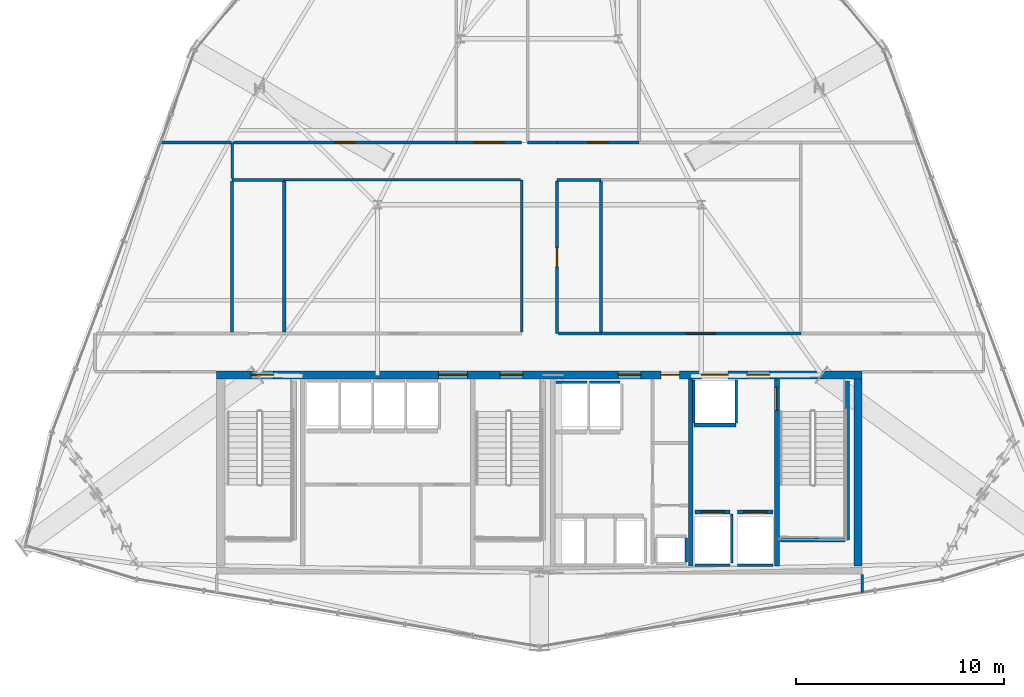
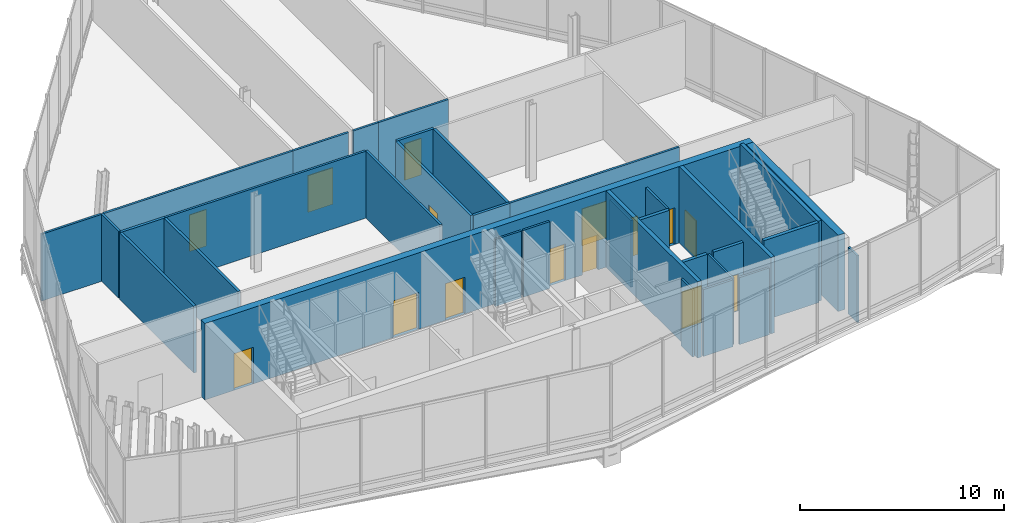
# One storey, part 24 of 28: 34 walls, 15 doors, 15 openings.
"""IFC4 building model written with IfcOpenShell, lengths in metres."""

from ifc_helpers import new_model, si_unit, direction, frame, frame_2d, origin, place, context, subcontext, project, spatial, rectangle, extrude, material, layer, layer_set, type_object, element, fill, save


model = new_model("IFC4")

# Units and contexts
model_context = context("Model", 3, precision=1e-05, world=origin(), true_north=direction((0.0, 1.0)))
body_context = subcontext(model_context, "Body", "Model", "MODEL_VIEW")
ifc_project = project(units=[si_unit("LENGTHUNIT", "METRE"), si_unit("AREAUNIT", "SQUARE_METRE"), si_unit("VOLUMEUNIT", "CUBIC_METRE"), si_unit("PLANEANGLEUNIT", "RADIAN"), si_unit("MASSUNIT", "GRAM", prefix="KILO")], contexts=[model_context])

# Site, building, storey
site_placement = place(None, origin())
site = spatial("IfcSite", under=ifc_project, at=site_placement, CompositionType="ELEMENT")
building_placement = place(site_placement, origin())
building = spatial("IfcBuilding", under=site, at=building_placement, Name="Ndaravel Arena Tower", CompositionType="ELEMENT")
storey_placement = place(building_placement, frame((0.0, 0.0, 213.199951171875)))
storey = spatial("IfcBuildingStorey", under=building, at=storey_placement, Name="L51", CompositionType="ELEMENT", Elevation=213.199951171875)

# Wall
ifc_material_1 = material(Name="Concrete C50/60", Category="concrete")
ifc_layer_1 = layer(ifc_material_1, 0.219970703125)
ifc_layer_set_1 = layer_set([ifc_layer_1], Name="Concrete C50/60")
wall_type_1 = type_object("IfcWallType", Name="WALL-CORE-220", PredefinedType="SOLIDWALL", material=ifc_layer_set_1)
wall_1_placement = place(storey_placement, frame((49.300048828125, 5.800048828125, 0.0), z_axis=(0.0, 0.0, 1.0), x_axis=(0.0, 1.0, 0.0)))
element("IfcWall", 1, at=wall_1_placement, inside=storey, type_object=wall_type_1, Name="L51 Core Web Shear Wall 4", PredefinedType="SOLIDWALL", context=body_context, shape_type="SweptSolid", body=[
    extrude(rectangle(XDim=9.0, YDim=0.219970703125, at=frame_2d((4.5, 0.0))), origin(), (0.0, 0.0, 1.0), 4.580078125),
])

# Wall, opening, door
wall_2_placement = place(storey_placement, frame((53.449951171875, 5.800048828125, 0.0), z_axis=(0.0, 0.0, 1.0), x_axis=(0.0, 1.0, 0.0)))
wall_2 = element("IfcWall", 2, at=wall_2_placement, inside=storey, type_object=wall_type_1, Name="L51 Core Web Shear Wall 5", PredefinedType="SOLIDWALL", context=body_context, shape_type="SweptSolid", body=[
    extrude(rectangle(XDim=9.0, YDim=0.219970703125, at=frame_2d((4.5, 0.0))), origin(), (0.0, 0.0, 1.0), 4.580078125),
])
opening_1_placement = place(wall_2_placement, frame((7.5, 0.0, 0.0)))
opening_1 = element("IfcOpeningElement", 3, at=opening_1_placement, cuts=wall_2, Name="Opening FD-01", PredefinedType="OPENING", context=body_context, shape_type="SweptSolid", body=[
    extrude(rectangle(XDim=1.10009765625, YDim=2.199951171875, at=frame_2d((0.550048828125, 1.10009765625))), frame((0.0, 0.10986328125, 0.0), z_axis=(0.0, -1.0, 0.0), x_axis=(1.0, 0.0, 0.0)), (0.0, 0.0, 1.0), 0.219970703125),
])
ifc_material_2 = material(Name="Steel S355", Category="steel")
door_type_1 = type_object("IfcDoorType", Name="DT-01-STAIR-1100", OperationType="SINGLE_SWING_LEFT", PredefinedType="DOOR", material=ifc_material_2)
door_1_placement = place(opening_1_placement, origin())
door_1 = element("IfcDoor", 4, at=door_1_placement, inside=storey, type_object=door_type_1, Name="L51 Firefighting Lobby to ST-3 Door", OperationType="SINGLE_SWING_LEFT", OverallHeight=2.199951171875, OverallWidth=1.10009765625, PredefinedType="DOOR", context=body_context, shape_type="SweptSolid", body=[
    extrude(rectangle(XDim=1.10009765625, YDim=2.199951171875, at=frame_2d((0.550048828125, 1.10009765625))), frame((0.0, 0.02490234375, 0.0), z_axis=(0.0, -1.0, 0.0), x_axis=(1.0, 0.0, 0.0)), (0.0, 0.0, 1.0), 0.050048828125),
])
fill(opening_1, door_1)

# Wall, openings, doors
ifc_material_3 = material(Name="Concrete C50/60", Category="concrete")
ifc_layer_2 = layer(ifc_material_3, 0.39990234375)
ifc_layer_set_2 = layer_set([ifc_layer_2], Name="Concrete C50/60")
wall_type_2 = type_object("IfcWallType", Name="WALL-CORE-400", PredefinedType="SOLIDWALL", material=ifc_layer_set_2)
wall_3_placement = place(storey_placement, frame((26.449951171875, 15.0, 0.0), z_axis=(0.0, 0.0, 1.0), x_axis=(1.0, 0.0, 0.0)))
wall_3 = element("IfcWall", 5, at=wall_3_placement, inside=storey, type_object=wall_type_2, Name="L51 Core North Shear Wall", PredefinedType="SOLIDWALL", context=body_context, shape_type="SweptSolid", body=[
    extrude(rectangle(XDim=31.10009765625, YDim=0.39990234375, at=frame_2d((15.550048828125, 0.0))), origin(), (0.0, 0.0, 1.0), 4.580078125),
])
opening_2_placement = place(wall_3_placement, frame((1.64990234375, 0.0, 0.0)))
opening_2 = element("IfcOpeningElement", 6, at=opening_2_placement, cuts=wall_3, Name="Opening FD-01", PredefinedType="OPENING", context=body_context, shape_type="SweptSolid", body=[
    extrude(rectangle(XDim=1.10009765625, YDim=2.199951171875, at=frame_2d((0.550048828125, 1.10009765625))), frame((0.0, 0.199951171875, 0.0), z_axis=(0.0, -1.0, 0.0), x_axis=(1.0, 0.0, 0.0)), (0.0, 0.0, 1.0), 0.39990234375),
])
opening_3_placement = place(wall_3_placement, frame((13.64990234375, 0.0, 0.0)))
opening_3 = element("IfcOpeningElement", 7, at=opening_3_placement, cuts=wall_3, Name="Opening FD-01", PredefinedType="OPENING", context=body_context, shape_type="SweptSolid", body=[
    extrude(rectangle(XDim=1.10009765625, YDim=2.199951171875, at=frame_2d((0.550048828125, 1.10009765625))), frame((0.0, 0.199951171875, 0.0), z_axis=(0.0, -1.0, 0.0), x_axis=(1.0, 0.0, 0.0)), (0.0, 0.0, 1.0), 0.39990234375),
])
opening_4_placement = place(wall_3_placement, frame((25.550048828125, 0.0, 0.0)))
opening_4 = element("IfcOpeningElement", 8, at=opening_4_placement, cuts=wall_3, Name="Opening FD-01", PredefinedType="OPENING", context=body_context, shape_type="SweptSolid", body=[
    extrude(rectangle(XDim=1.10009765625, YDim=2.199951171875, at=frame_2d((0.550048828125, 1.10009765625))), frame((0.0, 0.199951171875, 0.0), z_axis=(0.0, -1.0, 0.0), x_axis=(1.0, 0.0, 0.0)), (0.0, 0.0, 1.0), 0.39990234375),
])
opening_5_placement = place(wall_3_placement, frame((10.699951171875, 0.0, 0.0)))
opening_5 = element("IfcOpeningElement", 9, at=opening_5_placement, cuts=wall_3, Name="Opening ID-02", PredefinedType="OPENING", context=body_context, shape_type="SweptSolid", body=[
    extrude(rectangle(XDim=1.39990234375, YDim=2.199951171875, at=frame_2d((0.699951171875, 1.10009765625))), frame((0.0, 0.199951171875, 0.0), z_axis=(0.0, -1.0, 0.0), x_axis=(1.0, 0.0, 0.0)), (0.0, 0.0, 1.0), 0.39990234375),
])
opening_6_placement = place(wall_3_placement, frame((19.35009765625, 0.0, 0.0)))
opening_6 = element("IfcOpeningElement", 10, at=opening_6_placement, cuts=wall_3, Name="Opening FD-01", PredefinedType="OPENING", context=body_context, shape_type="SweptSolid", body=[
    extrude(rectangle(XDim=1.10009765625, YDim=2.199951171875, at=frame_2d((0.550048828125, 1.10009765625))), frame((0.0, 0.199951171875, 0.0), z_axis=(0.0, -1.0, 0.0), x_axis=(1.0, 0.0, 0.0)), (0.0, 0.0, 1.0), 0.39990234375),
])
opening_7_placement = place(wall_3_placement, frame((21.39990234375, 0.0, 0.0)))
opening_7 = element("IfcOpeningElement", 11, at=opening_7_placement, cuts=wall_3, Name="Opening RD-01", PredefinedType="OPENING", context=body_context, shape_type="SweptSolid", body=[
    extrude(rectangle(XDim=0.89990234375, YDim=2.10009765625, at=frame_2d((0.449951171875, 1.050048828125))), frame((0.0, 0.199951171875, 0.0), z_axis=(0.0, -1.0, 0.0), x_axis=(1.0, 0.0, 0.0)), (0.0, 0.0, 1.0), 0.39990234375),
])
opening_8_placement = place(wall_3_placement, frame((23.35009765625, 0.0, 0.0)))
opening_8 = element("IfcOpeningElement", 12, at=opening_8_placement, cuts=wall_3, Name="Opening LD-02", PredefinedType="OPENING", context=body_context, shape_type="SweptSolid", body=[
    extrude(rectangle(XDim=1.300048828125, YDim=2.300048828125, at=frame_2d((0.64990234375, 1.14990234375))), frame((0.0, 0.199951171875, 0.0), z_axis=(0.0, -1.0, 0.0), x_axis=(1.0, 0.0, 0.0)), (0.0, 0.0, 1.0), 0.39990234375),
])
door_2_placement = place(opening_2_placement, origin())
door_2 = element("IfcDoor", 13, at=door_2_placement, inside=storey, type_object=door_type_1, Name="L51 Exit Stair ST-1 Door", OperationType="SINGLE_SWING_RIGHT", OverallHeight=2.199951171875, OverallWidth=1.10009765625, PredefinedType="DOOR", context=body_context, shape_type="SweptSolid", body=[
    extrude(rectangle(XDim=1.10009765625, YDim=2.199951171875, at=frame_2d((0.550048828125, 1.10009765625))), frame((0.0, 0.02490234375, 0.0), z_axis=(0.0, -1.0, 0.0), x_axis=(1.0, 0.0, 0.0)), (0.0, 0.0, 1.0), 0.050048828125),
])
fill(opening_2, door_2)
door_3_placement = place(opening_3_placement, origin())
door_3 = element("IfcDoor", 14, at=door_3_placement, inside=storey, type_object=door_type_1, Name="L51 Exit Stair ST-2 Door", OperationType="SINGLE_SWING_LEFT", OverallHeight=2.199951171875, OverallWidth=1.10009765625, PredefinedType="DOOR", context=body_context, shape_type="SweptSolid", body=[
    extrude(rectangle(XDim=1.10009765625, YDim=2.199951171875, at=frame_2d((0.550048828125, 1.10009765625))), frame((0.0, 0.02490234375, 0.0), z_axis=(0.0, -1.0, 0.0), x_axis=(1.0, 0.0, 0.0)), (0.0, 0.0, 1.0), 0.050048828125),
])
fill(opening_3, door_3)
door_4_placement = place(opening_4_placement, origin())
door_4 = element("IfcDoor", 15, at=door_4_placement, inside=storey, type_object=door_type_1, Name="L51 Firefighting Lift Lobby Door", OperationType="SINGLE_SWING_RIGHT", OverallHeight=2.199951171875, OverallWidth=1.10009765625, PredefinedType="DOOR", context=body_context, shape_type="SweptSolid", body=[
    extrude(rectangle(XDim=1.10009765625, YDim=2.199951171875, at=frame_2d((0.550048828125, 1.10009765625))), frame((0.0, 0.02490234375, 0.0), z_axis=(0.0, -1.0, 0.0), x_axis=(1.0, 0.0, 0.0)), (0.0, 0.0, 1.0), 0.050048828125),
])
fill(opening_4, door_4)
door_5_placement = place(opening_6_placement, origin())
door_5 = element("IfcDoor", 16, at=door_5_placement, inside=storey, type_object=door_type_1, Name="L51 Express Lift Lobby Entry Door", OperationType="SINGLE_SWING_LEFT", OverallHeight=2.199951171875, OverallWidth=1.10009765625, PredefinedType="DOOR", context=body_context, shape_type="SweptSolid", body=[
    extrude(rectangle(XDim=1.10009765625, YDim=2.199951171875, at=frame_2d((0.550048828125, 1.10009765625))), frame((0.0, 0.02490234375, 0.0), z_axis=(0.0, -1.0, 0.0), x_axis=(1.0, 0.0, 0.0)), (0.0, 0.0, 1.0), 0.050048828125),
])
fill(opening_6, door_5)
ifc_material_4 = material(Name="Timber", Category="wood")
door_type_2 = type_object("IfcDoorType", Name="DT-04-SUITE-1400", OperationType="DOUBLE_DOOR_SINGLE_SWING", PredefinedType="DOOR", material=ifc_material_4)
door_6_placement = place(opening_5_placement, origin())
door_6 = element("IfcDoor", 17, at=door_6_placement, inside=storey, type_object=door_type_2, Name="L51 West Lift Lobby Entry Door", OperationType="DOUBLE_DOOR_SINGLE_SWING", OverallHeight=2.199951171875, OverallWidth=1.39990234375, PredefinedType="DOOR", context=body_context, shape_type="SweptSolid", body=[
    extrude(rectangle(XDim=1.39990234375, YDim=2.199951171875, at=frame_2d((0.699951171875, 1.10009765625))), frame((0.0, 0.02490234375, 0.0), z_axis=(0.0, -1.0, 0.0), x_axis=(1.0, 0.0, 0.0)), (0.0, 0.0, 1.0), 0.050048828125),
])
fill(opening_5, door_6)
ifc_material_5 = material(Name="Steel S355", Category="steel")
door_type_3 = type_object("IfcDoorType", Name="DT-07-SVLIFT-1300", OperationType="DOUBLE_DOOR_SLIDING", PredefinedType="DOOR", material=ifc_material_5)
door_7_placement = place(opening_8_placement, origin())
door_7 = element("IfcDoor", 18, at=door_7_placement, inside=storey, type_object=door_type_3, Name="L51 Lift SVL-1 Sliding Landing Door", OperationType="DOUBLE_DOOR_SLIDING", OverallHeight=2.300048828125, OverallWidth=1.300048828125, PredefinedType="DOOR", context=body_context, shape_type="SweptSolid", body=[
    extrude(rectangle(XDim=1.300048828125, YDim=2.300048828125, at=frame_2d((0.64990234375, 1.14990234375))), frame((0.0, 0.02490234375, 0.0), z_axis=(0.0, -1.0, 0.0), x_axis=(1.0, 0.0, 0.0)), (0.0, 0.0, 1.0), 0.050048828125),
])
fill(opening_8, door_7)
ifc_material_6 = material(Name="Steel S355", Category="steel")
door_type_4 = type_object("IfcDoorType", Name="DT-08-RISER-900", OperationType="SINGLE_SWING_LEFT", PredefinedType="DOOR", material=ifc_material_6)
door_8_placement = place(opening_7_placement, origin())
door_8 = element("IfcDoor", 19, at=door_8_placement, inside=storey, type_object=door_type_4, Name="L51 Core Service Riser North Door", OperationType="SINGLE_SWING_LEFT", OverallHeight=2.10009765625, OverallWidth=0.89990234375, PredefinedType="DOOR", context=body_context, shape_type="SweptSolid", body=[
    extrude(rectangle(XDim=0.89990234375, YDim=2.10009765625, at=frame_2d((0.449951171875, 1.050048828125))), frame((0.0, 0.02490234375, 0.0), z_axis=(0.0, -1.0, 0.0), x_axis=(1.0, 0.0, 0.0)), (0.0, 0.0, 1.0), 0.050048828125),
])
fill(opening_7, door_8)

# Walls
wall_4_placement = place(storey_placement, frame((57.35009765625, 5.800048828125, 0.0), z_axis=(0.0, 0.0, 1.0), x_axis=(0.0, 1.0, 0.0)))
element("IfcWall", 20, at=wall_4_placement, inside=storey, type_object=wall_type_2, Name="L51 Core East Shear Wall", PredefinedType="SOLIDWALL", context=body_context, shape_type="SweptSolid", body=[
    extrude(rectangle(XDim=9.0, YDim=0.39990234375, at=frame_2d((4.5, 0.0))), origin(), (0.0, 0.0, 1.0), 4.580078125),
])
ifc_material_7 = material(Name="Gypsum", Category="gypsum")
ifc_layer_3 = layer(ifc_material_7, 0.125)
ifc_layer_set_3 = layer_set([ifc_layer_3], Name="Gypsum")
wall_type_3 = type_object("IfcWallType", Name="WALL-PART-125", PredefinedType="PARTITIONING", material=ifc_layer_set_3)
wall_5_placement = place(storey_placement, frame((41.14990234375, 17.06494140625, 0.0), z_axis=(0.0, 0.0, 1.0), x_axis=(0.0, 1.0, 0.0)))
element("IfcWall", 21, at=wall_5_placement, inside=storey, type_object=wall_type_3, Name="L51 Interior Partition 008", PredefinedType="PARTITIONING", context=body_context, shape_type="SweptSolid", body=[
    extrude(rectangle(XDim=7.3349609375, YDim=0.125, at=frame_2d((3.66748046875, 0.0))), origin(), (0.0, 0.0, 1.0), 4.010498046875),
])
wall_6_placement = place(storey_placement, frame((41.0849609375, 24.39990234375, 0.0), z_axis=(0.0, 0.0, 1.0), x_axis=(-1.0, 0.0, 0.0)))
element("IfcWall", 22, at=wall_6_placement, inside=storey, type_object=wall_type_3, Name="L51 Interior Partition 009", PredefinedType="PARTITIONING", context=body_context, shape_type="SweptSolid", body=[
    extrude(rectangle(XDim=11.3740234375, YDim=0.125, at=frame_2d((5.68701171875, 0.0))), origin(), (0.0, 0.0, 1.0), 4.010498046875),
])
wall_7_placement = place(storey_placement, frame((27.199951171875, 24.465087890625, 0.0), z_axis=(0.0, 0.0, 1.0), x_axis=(0.0, 1.0, 0.0)))
element("IfcWall", 23, at=wall_7_placement, inside=storey, type_object=wall_type_3, Name="L51 Interior Partition 011", PredefinedType="PARTITIONING", context=body_context, shape_type="SweptSolid", body=[
    extrude(rectangle(XDim=1.73486328125, YDim=0.125, at=frame_2d((0.867431640625, 0.0))), origin(), (0.0, 0.0, 1.0), 4.010498046875),
])

# Wall, opening, door
wall_8_placement = place(storey_placement, frame((27.264892578125, 26.199951171875, 0.0), z_axis=(0.0, 0.0, 1.0), x_axis=(1.0, 0.0, 0.0)))
wall_8 = element("IfcWall", 24, at=wall_8_placement, inside=storey, type_object=wall_type_3, Name="L51 Interior Partition 012", PredefinedType="PARTITIONING", context=body_context, shape_type="SweptSolid", body=[
    extrude(rectangle(XDim=10.735107421875, YDim=0.125, at=frame_2d((5.36767578125, 0.0))), origin(), (0.0, 0.0, 1.0), 4.010498046875),
])
opening_9_placement = place(wall_8_placement, frame((4.892578125, 0.0, 0.0)))
opening_9 = element("IfcOpeningElement", 25, at=opening_9_placement, cuts=wall_8, Name="Opening ID-01", PredefinedType="OPENING", context=body_context, shape_type="SweptSolid", body=[
    extrude(rectangle(XDim=0.949951171875, YDim=2.199951171875, at=frame_2d((0.47509765625, 1.10009765625))), frame((0.0, 0.0625, 0.0), z_axis=(0.0, -1.0, 0.0), x_axis=(1.0, 0.0, 0.0)), (0.0, 0.0, 1.0), 0.125),
])
ifc_material_8 = material(Name="Timber", Category="wood")
door_type_5 = type_object("IfcDoorType", Name="DT-03-OFFICE-950", OperationType="SINGLE_SWING_LEFT", PredefinedType="DOOR", material=ifc_material_8)
door_9_placement = place(opening_9_placement, origin())
door_9 = element("IfcDoor", 26, at=door_9_placement, inside=storey, type_object=door_type_5, Name="L51 Medical First Aid Clinic 3 Door", OperationType="SINGLE_SWING_LEFT", OverallHeight=2.199951171875, OverallWidth=0.949951171875, PredefinedType="DOOR", context=body_context, shape_type="SweptSolid", body=[
    extrude(rectangle(XDim=0.949951171875, YDim=2.199951171875, at=frame_2d((0.47509765625, 1.10009765625))), frame((0.0, 0.02490234375, 0.0), z_axis=(0.0, -1.0, 0.0), x_axis=(1.0, 0.0, 0.0)), (0.0, 0.0, 1.0), 0.050048828125),
])
fill(opening_9, door_9)

wall_9_placement = place(storey_placement, frame((38.0, 26.199951171875, 0.0), z_axis=(0.0, 0.0, 1.0), x_axis=(1.0, 0.0, 0.0)))
wall_9 = element("IfcWall", 27, at=wall_9_placement, inside=storey, type_object=wall_type_3, Name="L51 Interior Partition 013", PredefinedType="PARTITIONING", context=body_context, shape_type="SweptSolid", body=[
    extrude(rectangle(XDim=3.14990234375, YDim=0.125, at=frame_2d((1.574951171875, 0.0))), origin(), (0.0, 0.0, 1.0), 4.010498046875),
])
opening_10_placement = place(wall_9_placement, frame((0.875, 0.0, 0.0)))
opening_10 = element("IfcOpeningElement", 28, at=opening_10_placement, cuts=wall_9, Name="Opening ID-02", PredefinedType="OPENING", context=body_context, shape_type="SweptSolid", body=[
    extrude(rectangle(XDim=1.39990234375, YDim=2.199951171875, at=frame_2d((0.699951171875, 1.10009765625))), frame((0.0, 0.0625, 0.0), z_axis=(0.0, -1.0, 0.0), x_axis=(1.0, 0.0, 0.0)), (0.0, 0.0, 1.0), 0.125),
])
door_10_placement = place(opening_10_placement, origin())
door_10 = element("IfcDoor", 29, at=door_10_placement, inside=storey, type_object=door_type_2, Name="L51 Executive Dining Lounge 4 Door", OperationType="SINGLE_SWING_RIGHT", OverallHeight=2.199951171875, OverallWidth=1.39990234375, PredefinedType="DOOR", context=body_context, shape_type="SweptSolid", body=[
    extrude(rectangle(XDim=1.39990234375, YDim=2.199951171875, at=frame_2d((0.699951171875, 1.10009765625))), frame((0.0, 0.02490234375, 0.0), z_axis=(0.0, -1.0, 0.0), x_axis=(1.0, 0.0, 0.0)), (0.0, 0.0, 1.0), 0.050048828125),
])
fill(opening_10, door_10)

# Wall
wall_10_placement = place(storey_placement, frame((41.431884765625, 26.199951171875, 0.0), z_axis=(0.0, 0.0, 1.0), x_axis=(1.0, 0.0, 0.0)))
element("IfcWall", 30, at=wall_10_placement, inside=storey, type_object=wall_type_3, Name="L51 Interior Partition 014", PredefinedType="PARTITIONING", context=body_context, shape_type="SweptSolid", body=[
    extrude(rectangle(XDim=1.418212890625, YDim=0.125, at=frame_2d((0.708984375, 0.0))), origin(), (0.0, 0.0, 1.0), 4.010498046875),
])

# Wall, opening, door
wall_11_placement = place(storey_placement, frame((42.85009765625, 26.199951171875, 0.0), z_axis=(0.0, 0.0, 1.0), x_axis=(1.0, 0.0, 0.0)))
wall_11 = element("IfcWall", 31, at=wall_11_placement, inside=storey, type_object=wall_type_3, Name="L51 Interior Partition 015", PredefinedType="PARTITIONING", context=body_context, shape_type="SweptSolid", body=[
    extrude(rectangle(XDim=3.949951171875, YDim=0.125, at=frame_2d((1.97509765625, 0.0))), origin(), (0.0, 0.0, 1.0), 4.010498046875),
])
opening_11_placement = place(wall_11_placement, frame((1.5, 0.0, 0.0)))
opening_11 = element("IfcOpeningElement", 32, at=opening_11_placement, cuts=wall_11, Name="Opening ID-01", PredefinedType="OPENING", context=body_context, shape_type="SweptSolid", body=[
    extrude(rectangle(XDim=0.949951171875, YDim=2.199951171875, at=frame_2d((0.47509765625, 1.10009765625))), frame((0.0, 0.0625, 0.0), z_axis=(0.0, -1.0, 0.0), x_axis=(1.0, 0.0, 0.0)), (0.0, 0.0, 1.0), 0.125),
])
door_11_placement = place(opening_11_placement, origin())
door_11 = element("IfcDoor", 33, at=door_11_placement, inside=storey, type_object=door_type_5, Name="L51 Physio Therapy Room 4 Door", OperationType="SINGLE_SWING_LEFT", OverallHeight=2.199951171875, OverallWidth=0.949951171875, PredefinedType="DOOR", context=body_context, shape_type="SweptSolid", body=[
    extrude(rectangle(XDim=0.949951171875, YDim=2.199951171875, at=frame_2d((0.47509765625, 1.10009765625))), frame((0.0, 0.02490234375, 0.0), z_axis=(0.0, -1.0, 0.0), x_axis=(1.0, 0.0, 0.0)), (0.0, 0.0, 1.0), 0.050048828125),
])
fill(opening_11, door_11)

wall_12_placement = place(storey_placement, frame((44.965087890625, 17.0, 0.0), z_axis=(0.0, 0.0, 1.0), x_axis=(1.0, 0.0, 0.0)))
wall_12 = element("IfcWall", 34, at=wall_12_placement, inside=storey, type_object=wall_type_3, Name="L51 Interior Partition 022", PredefinedType="PARTITIONING", context=body_context, shape_type="SweptSolid", body=[
    extrude(rectangle(XDim=9.635009765625, YDim=0.125, at=frame_2d((4.8173828125, 0.0))), origin(), (0.0, 0.0, 1.0), 4.010498046875),
])
opening_12_placement = place(wall_12_placement, frame((4.117431640625, 0.0, 0.0)))
opening_12 = element("IfcOpeningElement", 35, at=opening_12_placement, cuts=wall_12, Name="Opening ID-02", PredefinedType="OPENING", context=body_context, shape_type="SweptSolid", body=[
    extrude(rectangle(XDim=1.39990234375, YDim=2.199951171875, at=frame_2d((0.699951171875, 1.10009765625))), frame((0.0, 0.0625, 0.0), z_axis=(0.0, -1.0, 0.0), x_axis=(1.0, 0.0, 0.0)), (0.0, 0.0, 1.0), 0.125),
])
door_12_placement = place(opening_12_placement, origin())
door_12 = element("IfcDoor", 36, at=door_12_placement, inside=storey, type_object=door_type_2, Name="L51 Visitor Reception Desk Door", OperationType="SINGLE_SWING_LEFT", OverallHeight=2.199951171875, OverallWidth=1.39990234375, PredefinedType="DOOR", context=body_context, shape_type="SweptSolid", body=[
    extrude(rectangle(XDim=1.39990234375, YDim=2.199951171875, at=frame_2d((0.699951171875, 1.10009765625))), frame((0.0, 0.02490234375, 0.0), z_axis=(0.0, -1.0, 0.0), x_axis=(1.0, 0.0, 0.0)), (0.0, 0.0, 1.0), 0.050048828125),
])
fill(opening_12, door_12)

# Walls
wall_13_placement = place(storey_placement, frame((57.550048828125, 4.51318359375, 0.0), z_axis=(0.0, 0.0, 1.0), x_axis=(0.0, 1.0, 0.0)))
element("IfcWall", 37, at=wall_13_placement, inside=storey, type_object=wall_type_3, Name="L51 Interior Partition 025", PredefinedType="PARTITIONING", context=body_context, shape_type="SweptSolid", body=[
    extrude(rectangle(XDim=0.884765625, YDim=0.125, at=frame_2d((0.4423828125, 0.0))), origin(), (0.0, 0.0, 1.0), 4.010498046875),
])
wall_14_placement = place(storey_placement, frame((23.751220703125, 26.199951171875, 0.0), z_axis=(0.0, 0.0, 1.0), x_axis=(1.0, 0.0, 0.0)))
element("IfcWall", 38, at=wall_14_placement, inside=storey, type_object=wall_type_3, Name="L51 Interior Partition 030", PredefinedType="PARTITIONING", context=body_context, shape_type="SweptSolid", body=[
    extrude(rectangle(XDim=3.3837890625, YDim=0.125, at=frame_2d((1.69189453125, 0.0))), origin(), (0.0, 0.0, 1.0), 4.010498046875),
])
ifc_material_9 = material(Name="Concrete C40/50", Category="concrete")
ifc_layer_4 = layer(ifc_material_9, 0.1201171875)
ifc_layer_set_4 = layer_set([ifc_layer_4], Name="Concrete C40/50")
wall_type_4 = type_object("IfcWallType", Name="WALL-SHAFT-120", PredefinedType="SOLIDWALL", material=ifc_layer_set_4)
wall_15_placement = place(storey_placement, frame((49.080078125, 6.0, 0.0), z_axis=(0.0, 0.0, 1.0), x_axis=(0.0, 1.0, 0.0)))
element("IfcWall", 39, at=wall_15_placement, inside=storey, type_object=wall_type_4, Name="L51 MEP Riser Shaft E Wall", PredefinedType="SOLIDWALL", context=body_context, shape_type="SweptSolid", body=[
    extrude(rectangle(XDim=1.139892578125, YDim=0.1201171875, at=frame_2d((0.56982421875, 0.0))), origin(), (0.0, 0.0, 1.0), 4.010498046875),
])
for number, where, z_axis, x_axis, name in (
    (40, (42.804931640625, 14.659912109375, 0.0), (0.0, 0.0, 1.0), (1.0, 0.0, 0.0), "L51 PL-OBS1 Shaft Rear Wall"),
    (41, (44.405029296875, 14.659912109375, 0.0), (0.0, 0.0, 1.0), (1.0, 0.0, 0.0), "L51 PL-OBS2 Shaft Rear Wall"),
):
    element("IfcWall", number, at=place(storey_placement, frame(where, z_axis=z_axis, x_axis=x_axis)), inside=storey, type_object=wall_type_4, Name=name, PredefinedType="SOLIDWALL", context=body_context, shape_type="SweptSolid", body=[
        extrude(rectangle(XDim=1.489990234375, YDim=0.1201171875, at=frame_2d((0.7451171875, 0.0))), origin(), (0.0, 0.0, 1.0), 4.010498046875),
    ])
wall_16_placement = place(storey_placement, frame((49.5048828125, 5.840087890625, 0.0), z_axis=(0.0, 0.0, 1.0), x_axis=(1.0, 0.0, 0.0)))
element("IfcWall", 42, at=wall_16_placement, inside=storey, type_object=wall_type_4, Name="L51 FFL-1 Shaft Rear Wall", PredefinedType="SOLIDWALL", context=body_context, shape_type="SweptSolid", body=[
    extrude(rectangle(XDim=1.690185546875, YDim=0.1201171875, at=frame_2d((0.84521484375, 0.0))), origin(), (0.0, 0.0, 1.0), 4.010498046875),
])
wall_17_placement = place(storey_placement, frame((51.27490234375, 5.929931640625, 0.0), z_axis=(0.0, 0.0, 1.0), x_axis=(0.0, 1.0, 0.0)))
element("IfcWall", 43, at=wall_17_placement, inside=storey, type_object=wall_type_4, Name="L51 FFL-1 Shaft Side R Wall", PredefinedType="SOLIDWALL", context=body_context, shape_type="SweptSolid", body=[
    extrude(rectangle(XDim=2.380126953125, YDim=0.1201171875, at=frame_2d((1.18994140625, 0.0))), origin(), (0.0, 0.0, 1.0), 4.010498046875),
])
wall_18_placement = place(storey_placement, frame((51.554931640625, 5.840087890625, 0.0), z_axis=(0.0, 0.0, 1.0), x_axis=(1.0, 0.0, 0.0)))
element("IfcWall", 44, at=wall_18_placement, inside=storey, type_object=wall_type_4, Name="L51 FFL-2 Shaft Rear Wall", PredefinedType="SOLIDWALL", context=body_context, shape_type="SweptSolid", body=[
    extrude(rectangle(XDim=1.690185546875, YDim=0.1201171875, at=frame_2d((0.84521484375, 0.0))), origin(), (0.0, 0.0, 1.0), 4.010498046875),
])
for number, where, z_axis, x_axis, name in (
    (45, (49.43994140625, 12.68994140625, 0.0), (0.0, 0.0, 1.0), (0.0, 1.0, 0.0), "L51 SVL-1 Shaft W Wall"),
    (46, (51.47998046875, 12.68994140625, 0.0), (0.0, 0.0, 1.0), (0.0, 1.0, 0.0), "L51 SVL-1 Shaft E Wall"),
):
    element("IfcWall", number, at=place(storey_placement, frame(where, z_axis=z_axis, x_axis=x_axis)), inside=storey, type_object=wall_type_4, Name=name, PredefinedType="SOLIDWALL", context=body_context, shape_type="SweptSolid", body=[
        extrude(rectangle(XDim=2.070068359375, YDim=0.1201171875, at=frame_2d((1.03515625, 0.0))), origin(), (0.0, 0.0, 1.0), 4.010498046875),
    ])
ifc_material_10 = material(Name="Concrete C40/50", Category="concrete")
ifc_layer_5 = layer(ifc_material_10, 0.199951171875)
ifc_layer_set_5 = layer_set([ifc_layer_5], Name="Concrete C40/50")
wall_type_5 = type_object("IfcWallType", Name="WALL-SHAFT-200", PredefinedType="SOLIDWALL", material=ifc_layer_set_5)
wall_19_placement = place(storey_placement, frame((56.840087890625, 14.699951171875, 0.0), z_axis=(0.0, 0.0, 1.0), x_axis=(0.0, -1.0, 0.0)))
element("IfcWall", 47, at=wall_19_placement, inside=storey, type_object=wall_type_5, Name="L51 ST-3 Structural Shaft Wall Right", PredefinedType="SOLIDWALL", context=body_context, shape_type="SweptSolid", body=[
    extrude(rectangle(XDim=7.64990234375, YDim=0.199951171875, at=frame_2d((3.824951171875, 0.0))), origin(), (0.0, 0.0, 1.0), 4.800048828125),
])
wall_20_placement = place(storey_placement, frame((53.6201171875, 7.050048828125, 0.0), z_axis=(0.0, 0.0, 1.0), x_axis=(1.0, 0.0, 0.0)))
element("IfcWall", 48, at=wall_20_placement, inside=storey, type_object=wall_type_5, Name="L51 ST-3 Structural Shaft Wall Far", PredefinedType="SOLIDWALL", context=body_context, shape_type="SweptSolid", body=[
    extrude(rectangle(XDim=3.114990234375, YDim=0.199951171875, at=frame_2d((1.5576171875, 0.0))), origin(), (0.0, 0.0, 1.0), 4.800048828125),
])

# Wall, opening, door
wall_21_placement = place(storey_placement, frame((49.5048828125, 8.39990234375, 0.0), z_axis=(0.0, 0.0, 1.0), x_axis=(1.0, 0.0, 0.0)))
wall_21 = element("IfcWall", 49, at=wall_21_placement, inside=storey, type_object=wall_type_5, Name="L51 FFL-1 Shaft Landing Wall", PredefinedType="SOLIDWALL", context=body_context, shape_type="SweptSolid", body=[
    extrude(rectangle(XDim=1.690185546875, YDim=0.179931640625, at=frame_2d((0.84521484375, 0.0))), origin(), (0.0, 0.0, 1.0), 4.010498046875),
])
opening_13_placement = place(wall_21_placement, frame((0.294921875, 0.0, 0.0)))
opening_13 = element("IfcOpeningElement", 50, at=opening_13_placement, cuts=wall_21, Name="Opening LD-01", PredefinedType="OPENING", context=body_context, shape_type="SweptSolid", body=[
    extrude(rectangle(XDim=1.10009765625, YDim=2.199951171875, at=frame_2d((0.550048828125, 1.10009765625))), frame((0.0, 0.08984375, 0.0), z_axis=(0.0, -1.0, 0.0), x_axis=(1.0, 0.0, 0.0)), (0.0, 0.0, 1.0), 0.179931640625),
])
ifc_material_11 = material(Name="Steel S355", Category="steel")
door_type_6 = type_object("IfcDoorType", Name="DT-06-LIFT-1100", OperationType="SLIDING_TO_LEFT", PredefinedType="DOOR", material=ifc_material_11)
door_13_placement = place(opening_13_placement, origin())
door_13 = element("IfcDoor", 51, at=door_13_placement, inside=storey, type_object=door_type_6, Name="L51 Lift FFL-1 Sliding Landing Door", OperationType="SLIDING_TO_LEFT", OverallHeight=2.199951171875, OverallWidth=1.10009765625, PredefinedType="DOOR", context=body_context, shape_type="SweptSolid", body=[
    extrude(rectangle(XDim=1.10009765625, YDim=2.199951171875, at=frame_2d((0.550048828125, 1.10009765625))), frame((0.0, 0.02490234375, 0.0), z_axis=(0.0, -1.0, 0.0), x_axis=(1.0, 0.0, 0.0)), (0.0, 0.0, 1.0), 0.050048828125),
])
fill(opening_13, door_13)

wall_22_placement = place(storey_placement, frame((51.554931640625, 8.39990234375, 0.0), z_axis=(0.0, 0.0, 1.0), x_axis=(1.0, 0.0, 0.0)))
wall_22 = element("IfcWall", 52, at=wall_22_placement, inside=storey, type_object=wall_type_5, Name="L51 FFL-2 Shaft Landing Wall", PredefinedType="SOLIDWALL", context=body_context, shape_type="SweptSolid", body=[
    extrude(rectangle(XDim=1.690185546875, YDim=0.179931640625, at=frame_2d((0.84521484375, 0.0))), origin(), (0.0, 0.0, 1.0), 4.010498046875),
])
opening_14_placement = place(wall_22_placement, frame((0.294921875, 0.0, 0.0)))
opening_14 = element("IfcOpeningElement", 53, at=opening_14_placement, cuts=wall_22, Name="Opening LD-01", PredefinedType="OPENING", context=body_context, shape_type="SweptSolid", body=[
    extrude(rectangle(XDim=1.10009765625, YDim=2.199951171875, at=frame_2d((0.550048828125, 1.10009765625))), frame((0.0, 0.08984375, 0.0), z_axis=(0.0, -1.0, 0.0), x_axis=(1.0, 0.0, 0.0)), (0.0, 0.0, 1.0), 0.179931640625),
])
door_14_placement = place(opening_14_placement, origin())
door_14 = element("IfcDoor", 54, at=door_14_placement, inside=storey, type_object=door_type_6, Name="L51 Lift FFL-2 Sliding Landing Door", OperationType="SLIDING_TO_LEFT", OverallHeight=2.199951171875, OverallWidth=1.10009765625, PredefinedType="DOOR", context=body_context, shape_type="SweptSolid", body=[
    extrude(rectangle(XDim=1.10009765625, YDim=2.199951171875, at=frame_2d((0.550048828125, 1.10009765625))), frame((0.0, 0.02490234375, 0.0), z_axis=(0.0, -1.0, 0.0), x_axis=(1.0, 0.0, 0.0)), (0.0, 0.0, 1.0), 0.050048828125),
])
fill(opening_14, door_14)

# Walls
wall_23_placement = place(storey_placement, frame((49.43994140625, 12.594970703125, 0.0), z_axis=(0.0, 0.0, 1.0), x_axis=(1.0, 0.0, 0.0)))
element("IfcWall", 55, at=wall_23_placement, inside=storey, type_object=wall_type_5, Name="L51 SVL-1 Shaft South Wall", PredefinedType="SOLIDWALL", context=body_context, shape_type="SweptSolid", body=[
    extrude(rectangle(XDim=2.0400390625, YDim=0.179931640625, at=frame_2d((1.02001953125, 0.0))), origin(), (0.0, 0.0, 1.0), 4.010498046875),
])
ifc_material_12 = material(Name="Masonry", Category="masonry")
ifc_layer_6 = layer(ifc_material_12, 0.14990234375)
ifc_layer_set_6 = layer_set([ifc_layer_6], Name="Masonry")
wall_type_6 = type_object("IfcWallType", Name="WALL-WET-150", PredefinedType="PARTITIONING", material=ifc_layer_set_6)
wall_24_placement = place(storey_placement, frame((29.7109375, 24.39990234375, 0.0), z_axis=(0.0, 0.0, 1.0), x_axis=(-1.0, 0.0, 0.0)))
element("IfcWall", 56, at=wall_24_placement, inside=storey, type_object=wall_type_6, Name="L51 Interior Partition 010", PredefinedType="PARTITIONING", context=body_context, shape_type="SweptSolid", body=[
    extrude(rectangle(XDim=2.510986328125, YDim=0.14990234375, at=frame_2d((1.25537109375, 0.0))), origin(), (0.0, 0.0, 1.0), 4.010498046875),
])
wall_25_placement = place(storey_placement, frame((44.965087890625, 24.39990234375, 0.0), z_axis=(0.0, 0.0, 1.0), x_axis=(-1.0, 0.0, 0.0)))
element("IfcWall", 57, at=wall_25_placement, inside=storey, type_object=wall_type_6, Name="L51 Interior Partition 019", PredefinedType="PARTITIONING", context=body_context, shape_type="SweptSolid", body=[
    extrude(rectangle(XDim=2.114990234375, YDim=0.14990234375, at=frame_2d((1.0576171875, 0.0))), origin(), (0.0, 0.0, 1.0), 4.010498046875),
])

# Wall, opening, door
wall_26_placement = place(storey_placement, frame((42.85009765625, 24.3349609375, 0.0), z_axis=(0.0, 0.0, 1.0), x_axis=(0.0, -1.0, 0.0)))
wall_26 = element("IfcWall", 58, at=wall_26_placement, inside=storey, type_object=wall_type_6, Name="L51 Interior Partition 020", PredefinedType="PARTITIONING", context=body_context, shape_type="SweptSolid", body=[
    extrude(rectangle(XDim=7.3349609375, YDim=0.14990234375, at=frame_2d((3.66748046875, 0.0))), origin(), (0.0, 0.0, 1.0), 4.010498046875),
])
opening_15_placement = place(wall_26_placement, frame((3.217529296875, 0.0, 0.0)))
opening_15 = element("IfcOpeningElement", 59, at=opening_15_placement, cuts=wall_26, Name="Opening WD-01", PredefinedType="OPENING", context=body_context, shape_type="SweptSolid", body=[
    extrude(rectangle(XDim=0.89990234375, YDim=2.14990234375, at=frame_2d((0.449951171875, 1.074951171875))), frame((0.0, 0.074951171875, 0.0), z_axis=(0.0, -1.0, 0.0), x_axis=(1.0, 0.0, 0.0)), (0.0, 0.0, 1.0), 0.14990234375),
])
ifc_material_13 = material(Name="Timber", Category="wood")
door_type_7 = type_object("IfcDoorType", Name="DT-05-WC-900", OperationType="SINGLE_SWING_LEFT", PredefinedType="DOOR", material=ifc_material_13)
door_15_placement = place(opening_15_placement, origin())
door_15 = element("IfcDoor", 60, at=door_15_placement, inside=storey, type_object=door_type_7, Name="L51 Female & Accessible Restroom Door", OperationType="SINGLE_SWING_RIGHT", OverallHeight=2.14990234375, OverallWidth=0.89990234375, PredefinedType="DOOR", context=body_context, shape_type="SweptSolid", body=[
    extrude(rectangle(XDim=0.89990234375, YDim=2.14990234375, at=frame_2d((0.449951171875, 1.074951171875))), frame((0.0, 0.02490234375, 0.0), z_axis=(0.0, -1.0, 0.0), x_axis=(1.0, 0.0, 0.0)), (0.0, 0.0, 1.0), 0.050048828125),
])
fill(opening_15, door_15)

# Walls
wall_27_placement = place(storey_placement, frame((42.9150390625, 17.0, 0.0), z_axis=(0.0, 0.0, 1.0), x_axis=(1.0, 0.0, 0.0)))
element("IfcWall", 61, at=wall_27_placement, inside=storey, type_object=wall_type_6, Name="L51 Interior Partition 021", PredefinedType="PARTITIONING", context=body_context, shape_type="SweptSolid", body=[
    extrude(rectangle(XDim=2.050048828125, YDim=0.14990234375, at=frame_2d((1.02490234375, 0.0))), origin(), (0.0, 0.0, 1.0), 4.010498046875),
])
for number, where, z_axis, x_axis, name in (
    (62, (27.199951171875, 17.06494140625, 0.0), (0.0, 0.0, 1.0), (0.0, 1.0, 0.0), "L51 Interior Partition 026"),
    (63, (29.7109375, 24.3349609375, 0.0), (0.0, 0.0, 1.0), (0.0, -1.0, 0.0), "L51 Interior Partition 027"),
    (64, (44.965087890625, 24.3349609375, 0.0), (0.0, 0.0, 1.0), (0.0, -1.0, 0.0), "L51 Interior Partition 028"),
):
    element("IfcWall", number, at=place(storey_placement, frame(where, z_axis=z_axis, x_axis=x_axis)), inside=storey, type_object=wall_type_6, Name=name, PredefinedType="PARTITIONING", context=body_context, shape_type="SweptSolid", body=[
        extrude(rectangle(XDim=7.27001953125, YDim=0.14990234375, at=frame_2d((3.635009765625, 0.0))), origin(), (0.0, 0.0, 1.0), 4.010498046875),
    ])

save(model, "model.ifc")
